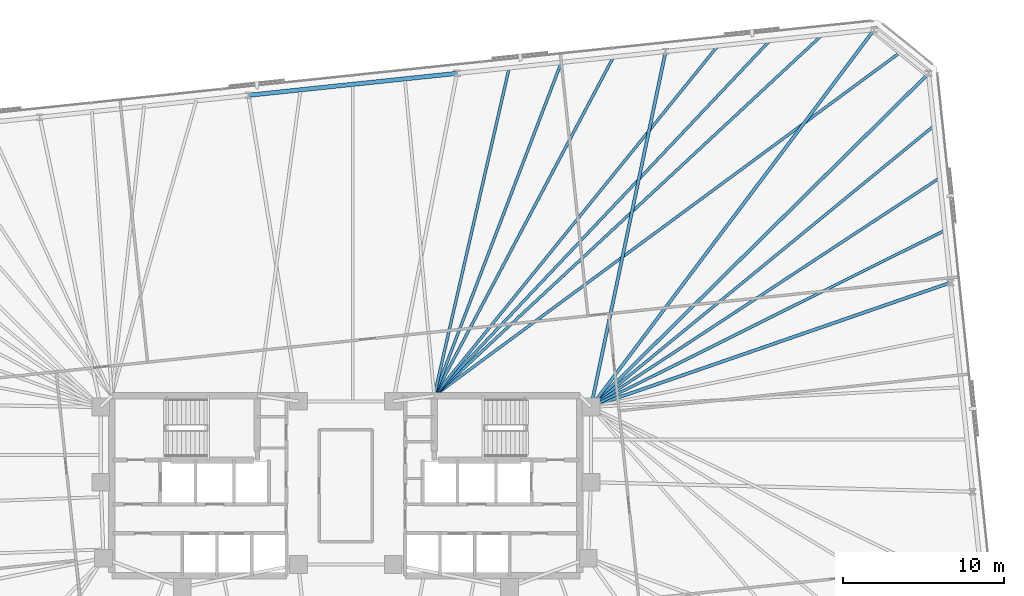
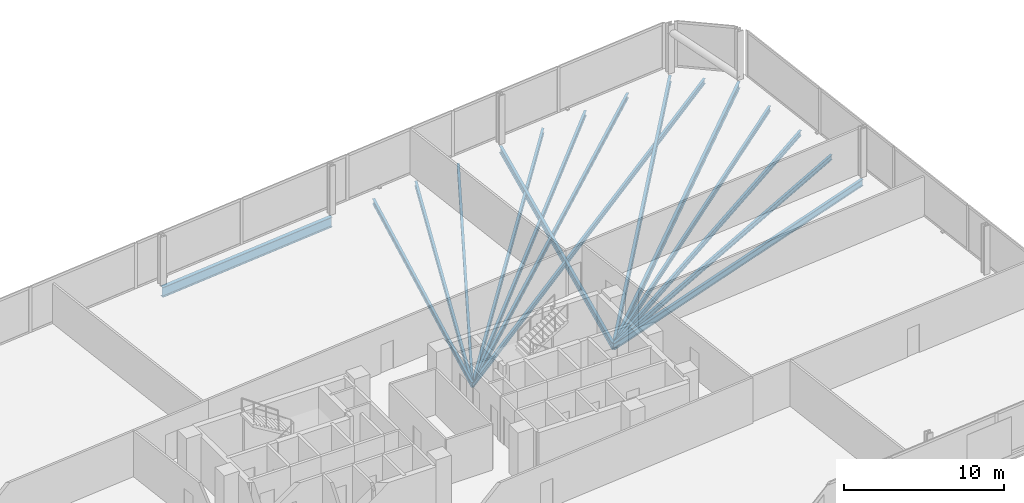
# One storey, part 10 of 18: 15 beams.
"""IFC4 building model written with IfcOpenShell, lengths in metres."""

from ifc_helpers import new_model, si_unit, direction, frame, origin, origin_2d, place, context, subcontext, project, spatial, i_section, extrude, material, material_profile, profile_set, type_object, element, save


model = new_model("IFC4")

# Units and contexts
model_context = context("Model", 3, precision=1e-05, world=origin(), true_north=direction((0.0, 1.0)))
body_context = subcontext(model_context, "Body", "Model", "MODEL_VIEW")
ifc_project = project(units=[si_unit("LENGTHUNIT", "METRE"), si_unit("AREAUNIT", "SQUARE_METRE"), si_unit("VOLUMEUNIT", "CUBIC_METRE"), si_unit("PLANEANGLEUNIT", "RADIAN"), si_unit("MASSUNIT", "GRAM", prefix="KILO")], contexts=[model_context])

# Site, building, storey
site_placement = place(None, origin())
site = spatial("IfcSite", under=ifc_project, at=site_placement, CompositionType="ELEMENT")
building_placement = place(site_placement, origin())
building = spatial("IfcBuilding", under=site, at=building_placement, Name="Menara Jurai Vektor", CompositionType="ELEMENT")
storey_placement = place(building_placement, frame((0.0, 0.0, 113.300048828125)))
storey = spatial("IfcBuildingStorey", under=building, at=storey_placement, Name="L28", CompositionType="ELEMENT", Elevation=113.300048828125)

# Beams
ifc_material_1 = material(Name="Steel S355", Category="steel")
ifc_material_profile_1 = material_profile(ifc_material_1, i_section(OverallWidth=0.199951171875, OverallDepth=0.5, WebThickness=0.011962890625, FlangeThickness=0.02001953125, at=origin_2d()), Name="PG 500x200x96")
ifc_profile_set_1 = profile_set([ifc_material_profile_1], Name="Steel S355")
beam_type_1 = type_object("IfcBeamType", Name="STR-BM-500", PredefinedType="BEAM", material=ifc_profile_set_1)
beam_1_placement = place(storey_placement, frame((37.62060546875, 12.638427734375, -0.47509765625), z_axis=(-0.945053249867, -0.326916434148, 0.0), x_axis=(0.326916434148, -0.945053249867, 0.0)))
element("IfcBeam", 1, at=beam_1_placement, inside=storey, type_object=beam_type_1, Name="Radial Floor Girder L28-E3", PredefinedType="BEAM", context=body_context, shape_type="SweptSolid", body=[
    extrude(i_section(OverallWidth=0.199951171875, OverallDepth=0.5, WebThickness=0.011962890625, FlangeThickness=0.02001953125, at=origin_2d()), origin(), (0.0, 0.0, 1.0), 23.671142578125),
])
beam_2_placement = place(storey_placement, frame((36.252685546875, 25.652099609375, -0.47509765625), z_axis=(-0.711335927547, -0.702852188004, 0.0), x_axis=(0.702852188004, -0.711335927547, 0.0)))
element("IfcBeam", 2, at=beam_2_placement, inside=storey, type_object=beam_type_1, Name="Radial Floor Girder L28-E4", PredefinedType="BEAM", context=body_context, shape_type="SweptSolid", body=[
    extrude(i_section(OverallWidth=0.199951171875, OverallDepth=0.5, WebThickness=0.011962890625, FlangeThickness=0.02001953125, at=origin_2d()), origin(), (0.0, 0.0, 1.0), 29.525634765625),
])
beam_3_placement = place(storey_placement, frame((32.876220703125, 28.38623046875, -0.47509765625), z_axis=(-0.600250057552, -0.799812395758, 0.0), x_axis=(0.799812395758, -0.600250057552, 0.0)))
element("IfcBeam", 3, at=beam_3_placement, inside=storey, type_object=beam_type_1, Name="Radial Floor Girder L28-N1", PredefinedType="BEAM", context=body_context, shape_type="SweptSolid", body=[
    extrude(i_section(OverallWidth=0.199951171875, OverallDepth=0.5, WebThickness=0.011962890625, FlangeThickness=0.02001953125, at=origin_2d()), origin(), (0.0, 0.0, 1.0), 29.36474609375),
])
beam_4_placement = place(storey_placement, frame((19.896728515625, 27.02197265625, -0.47509765625), z_axis=(-0.205563576063, -0.978643763683, 0.0), x_axis=(0.978643763683, -0.205563576063, 0.0)))
element("IfcBeam", 4, at=beam_4_placement, inside=storey, type_object=beam_type_1, Name="Radial Floor Girder L28-N2", PredefinedType="BEAM", context=body_context, shape_type="SweptSolid", body=[
    extrude(i_section(OverallWidth=0.199951171875, OverallDepth=0.5, WebThickness=0.011962890625, FlangeThickness=0.02001953125, at=origin_2d()), origin(), (0.0, 0.0, 1.0), 22.604736328125),
])
ifc_material_profile_2 = material_profile(ifc_material_1, i_section(OverallWidth=0.175048828125, OverallDepth=0.3798828125, WebThickness=0.010009765625, FlangeThickness=0.014892578125, at=origin_2d()), Name="PG 380x175x58")
ifc_profile_set_2 = profile_set([ifc_material_profile_2], Name="Steel S355")
beam_type_2 = type_object("IfcBeamType", Name="STR-JS-380", PredefinedType="JOIST", material=ifc_profile_set_2)
beam_5_placement = place(storey_placement, frame((37.278564453125, 15.891845703125, -0.4150390625), z_axis=(-0.894789854106, -0.446487532849, 0.0), x_axis=(0.446487532849, -0.894789854106, 0.0)))
element("IfcBeam", 5, at=beam_5_placement, inside=storey, type_object=beam_type_2, Name="Radial Secondary Floor Joist L28-JS15", PredefinedType="JOIST", context=body_context, shape_type="SweptSolid", body=[
    extrude(i_section(OverallWidth=0.175048828125, OverallDepth=0.3798828125, WebThickness=0.010009765625, FlangeThickness=0.014892578125, at=origin_2d()), origin(), (0.0, 0.0, 1.0), 24.61865234375),
])
beam_6_placement = place(storey_placement, frame((36.936767578125, 19.145263671875, -0.4150390625), z_axis=(-0.835810585743, -0.549017909326, 0.0), x_axis=(0.549017909326, -0.835810585743, 0.0)))
element("IfcBeam", 6, at=beam_6_placement, inside=storey, type_object=beam_type_2, Name="Radial Secondary Floor Joist L28-JS16", PredefinedType="JOIST", context=body_context, shape_type="SweptSolid", body=[
    extrude(i_section(OverallWidth=0.175048828125, OverallDepth=0.3798828125, WebThickness=0.010009765625, FlangeThickness=0.014892578125, at=origin_2d()), origin(), (0.0, 0.0, 1.0), 25.947021484375),
])
beam_7_placement = place(storey_placement, frame((36.5947265625, 22.398681640625, -0.4150390625), z_axis=(-0.773337004811, -0.63399517111, 0.0), x_axis=(0.63399517111, -0.773337004811, 0.0)))
element("IfcBeam", 7, at=beam_7_placement, inside=storey, type_object=beam_type_2, Name="Radial Secondary Floor Joist L28-JS17", PredefinedType="JOIST", context=body_context, shape_type="SweptSolid", body=[
    extrude(i_section(OverallWidth=0.175048828125, OverallDepth=0.3798828125, WebThickness=0.010009765625, FlangeThickness=0.014892578125, at=origin_2d()), origin(), (0.0, 0.0, 1.0), 27.600830078125),
])
beam_8_placement = place(storey_placement, frame((34.564453125, 27.01904296875, -0.4150390625), z_axis=(-0.805015724179, -0.593253473504, 0.0), x_axis=(0.593253473504, -0.805015724179, 0.0)))
element("IfcBeam", 8, at=beam_8_placement, inside=storey, type_object=beam_type_2, Name="Radial Secondary Floor Joist L28-JS18", PredefinedType="JOIST", context=body_context, shape_type="SweptSolid", body=[
    extrude(i_section(OverallWidth=0.175048828125, OverallDepth=0.3798828125, WebThickness=0.010009765625, FlangeThickness=0.014892578125, at=origin_2d()), origin(), (0.0, 0.0, 1.0), 36.104248046875),
])
beam_9_placement = place(storey_placement, frame((29.63134765625, 28.045166015625, -0.4150390625), z_axis=(-0.732227546694, -0.681060070671, 0.0), x_axis=(0.681060070671, -0.732227546694, 0.0)))
element("IfcBeam", 9, at=beam_9_placement, inside=storey, type_object=beam_type_2, Name="Radial Secondary Floor Joist L28-JS19", PredefinedType="JOIST", context=body_context, shape_type="SweptSolid", body=[
    extrude(i_section(OverallWidth=0.175048828125, OverallDepth=0.3798828125, WebThickness=0.010009765625, FlangeThickness=0.014892578125, at=origin_2d()), origin(), (0.0, 0.0, 1.0), 32.9560546875),
])
beam_10_placement = place(storey_placement, frame((26.386474609375, 27.7041015625, -0.4150390625), z_axis=(-0.686805497462, -0.726841254096, 0.0), x_axis=(0.726841254096, -0.686805497462, 0.0)))
element("IfcBeam", 10, at=beam_10_placement, inside=storey, type_object=beam_type_2, Name="Radial Secondary Floor Joist L28-JS20", PredefinedType="JOIST", context=body_context, shape_type="SweptSolid", body=[
    extrude(i_section(OverallWidth=0.175048828125, OverallDepth=0.3798828125, WebThickness=0.010009765625, FlangeThickness=0.014892578125, at=origin_2d()), origin(), (0.0, 0.0, 1.0), 30.4111328125),
])
beam_11_placement = place(storey_placement, frame((23.1416015625, 27.363037109375, -0.4150390625), z_axis=(-0.629715269624, -0.776826028917, 0.0), x_axis=(0.776826028917, -0.629715269624, 0.0)))
element("IfcBeam", 11, at=beam_11_placement, inside=storey, type_object=beam_type_2, Name="Radial Secondary Floor Joist L28-JS21", PredefinedType="JOIST", context=body_context, shape_type="SweptSolid", body=[
    extrude(i_section(OverallWidth=0.175048828125, OverallDepth=0.3798828125, WebThickness=0.010009765625, FlangeThickness=0.014892578125, at=origin_2d()), origin(), (0.0, 0.0, 1.0), 28.01513671875),
])
beam_12_placement = place(storey_placement, frame((16.651611328125, 26.680908203125, -0.4150390625), z_axis=(-0.467598899237, -0.883940761268, 0.0), x_axis=(0.883940761268, -0.467598899237, 0.0)))
element("IfcBeam", 12, at=beam_12_placement, inside=storey, type_object=beam_type_2, Name="Radial Secondary Floor Joist L28-JS22", PredefinedType="JOIST", context=body_context, shape_type="SweptSolid", body=[
    extrude(i_section(OverallWidth=0.175048828125, OverallDepth=0.3798828125, WebThickness=0.010009765625, FlangeThickness=0.014892578125, at=origin_2d()), origin(), (0.0, 0.0, 1.0), 23.8486328125),
])
beam_13_placement = place(storey_placement, frame((13.40673828125, 26.33984375, -0.4150390625), z_axis=(-0.3562267616, -0.934399536772, 0.0), x_axis=(0.934399536772, -0.3562267616, 0.0)))
element("IfcBeam", 13, at=beam_13_placement, inside=storey, type_object=beam_type_2, Name="Radial Secondary Floor Joist L28-JS23", PredefinedType="JOIST", context=body_context, shape_type="SweptSolid", body=[
    extrude(i_section(OverallWidth=0.175048828125, OverallDepth=0.3798828125, WebThickness=0.010009765625, FlangeThickness=0.014892578125, at=origin_2d()), origin(), (0.0, 0.0, 1.0), 22.19580078125),
])
beam_14_placement = place(storey_placement, frame((10.161865234375, 25.998779296875, -0.4150390625), z_axis=(-0.222793437271, -0.974865675008, 0.0), x_axis=(0.974865675008, -0.222793437271, 0.0)))
element("IfcBeam", 14, at=beam_14_placement, inside=storey, type_object=beam_type_2, Name="Radial Secondary Floor Joist L28-JS24", PredefinedType="JOIST", context=body_context, shape_type="SweptSolid", body=[
    extrude(i_section(OverallWidth=0.175048828125, OverallDepth=0.3798828125, WebThickness=0.010009765625, FlangeThickness=0.014892578125, at=origin_2d()), origin(), (0.0, 0.0, 1.0), 20.924560546875),
])
ifc_material_2 = material(Name="Steel S460", Category="steel")
ifc_material_profile_3 = material_profile(ifc_material_2, i_section(OverallWidth=0.26806640625, OverallDepth=0.77001953125, WebThickness=0.01611328125, FlangeThickness=0.02490234375, FilletRadius=0.01708984375, at=origin_2d()), Name="UKB 762x267x197")
ifc_profile_set_3 = profile_set([ifc_material_profile_3], Name="Steel S460")
beam_type_3 = type_object("IfcBeamType", Name="STR-SP-762", PredefinedType="SPANDREL", material=ifc_profile_set_3)
beam_15_placement = place(storey_placement, frame((6.9169921875, 25.65771484375, -0.610107421875), z_axis=(-0.994521431679, -0.104532874882, 0.0), x_axis=(0.104532874882, -0.994521431679, 0.0)))
element("IfcBeam", 15, at=beam_15_placement, inside=storey, type_object=beam_type_3, Name="Exoskeleton Spandrel Beam L28-13", PredefinedType="SPANDREL", context=body_context, shape_type="SweptSolid", body=[
    extrude(i_section(OverallWidth=0.26806640625, OverallDepth=0.77001953125, WebThickness=0.01611328125, FlangeThickness=0.02490234375, FilletRadius=0.01708984375, at=origin_2d()), origin(), (0.0, 0.0, 1.0), 13.051025390625),
])

save(model, "model.ifc")
